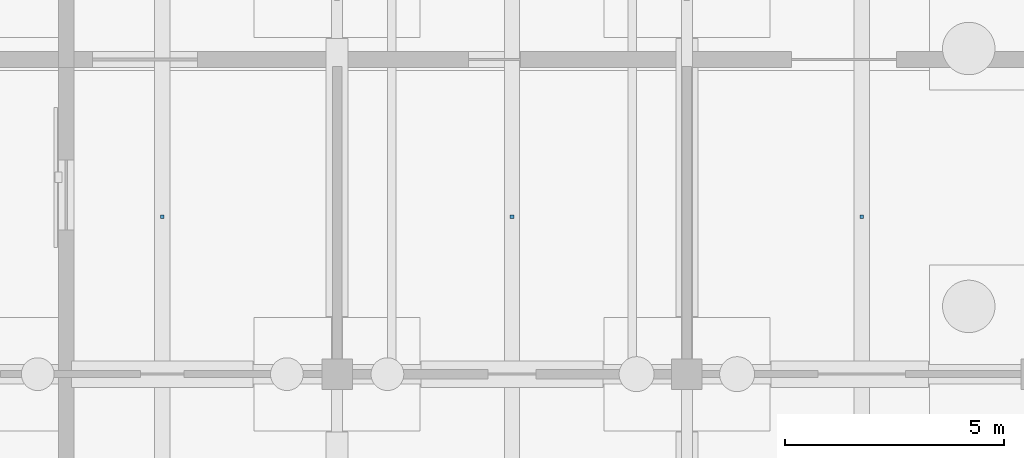
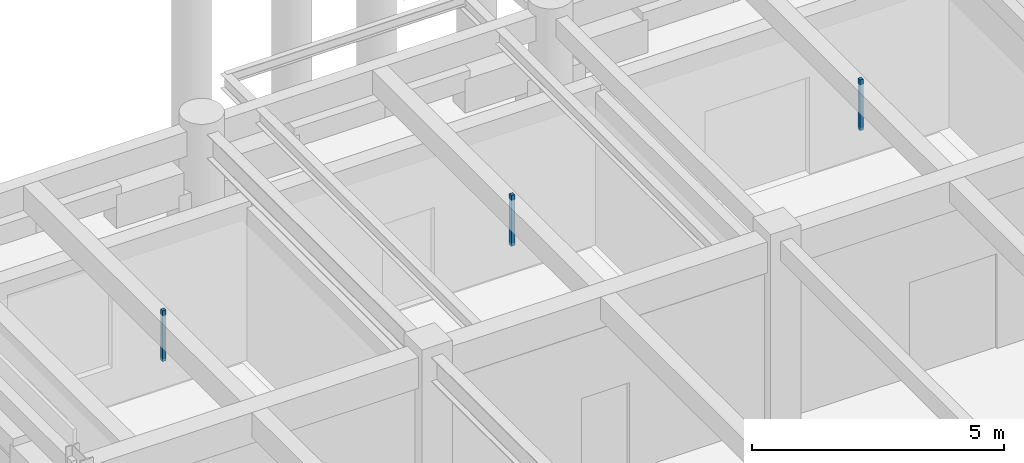
# One storey, part 121 of 147: 3 discrete accessories.
"""IFC4 building model written with IfcOpenShell, lengths in metres."""

from ifc_helpers import new_model, si_unit, direction, frame, origin, origin_2d, place, context, subcontext, project, spatial, rectangle, extrude, material, layer, layer_set, type_object, element, save


model = new_model("IFC4")

# Units and contexts
model_context = context("Model", 3, precision=1e-05, world=origin(), true_north=direction((0.0, 1.0)))
body_context = subcontext(model_context, "Body", "Model", "MODEL_VIEW")
ifc_project = project(units=[si_unit("LENGTHUNIT", "METRE"), si_unit("AREAUNIT", "SQUARE_METRE"), si_unit("VOLUMEUNIT", "CUBIC_METRE"), si_unit("PLANEANGLEUNIT", "RADIAN"), si_unit("MASSUNIT", "GRAM", prefix="KILO")], contexts=[model_context])

# Site, building, storey
site_placement = place(None, origin())
site = spatial("IfcSite", under=ifc_project, at=site_placement, CompositionType="ELEMENT")
building_placement = place(site_placement, origin())
building = spatial("IfcBuilding", under=site, at=building_placement, Name="Varnabhumi Central Station", CompositionType="ELEMENT")
storey_placement = place(building_placement, origin())
storey = spatial("IfcBuildingStorey", under=building, at=storey_placement, Name="L00", CompositionType="ELEMENT", Elevation=0.0)

# Discrete accessories
ifc_material = material(Name="Structural steel E350", Category="steel")
ifc_layer = layer(ifc_material, 0.159912109375, Name="Structural steel E350", Category="steel")
ifc_layer_set = layer_set([ifc_layer], Name="Structural steel E350")
discrete_accessory_type = type_object("IfcDiscreteAccessoryType", Name="ACC-SHADE-BRKT", PredefinedType="BRACKET", material=ifc_layer_set)
for number, where, z_axis, x_axis, name in (
    (1, (12.0, 110.60009765625, 3.43994140625), (0.0, 0.0, 1.0), (1.0, 0.0, 0.0), "Fire Command Centre Ceiling Hanger"),
    (2, (4.0, 110.60009765625, 3.43994140625), (0.0, 0.0, 1.0), (1.0, 0.0, 0.0), "Station First Aid and Medical Room Ceiling Hanger"),
    (3, (20.0, 110.60009765625, 3.43994140625), (0.0, 0.0, 1.0), (1.0, 0.0, 0.0), "Travel Retail Shop 01 Ceiling Hanger"),
):
    element("IfcDiscreteAccessory", number, at=place(storey_placement, frame(where, z_axis=z_axis, x_axis=x_axis)), inside=storey, type_object=discrete_accessory_type, Name=name, PredefinedType="BRACKET", context=body_context, shape_type="SweptSolid", body=[
        extrude(rectangle(XDim=0.080078125, YDim=0.080078125, at=origin_2d()), origin(), (0.0, 0.0, 1.0), 1.22998046875),
    ])

save(model, "model.ifc")
